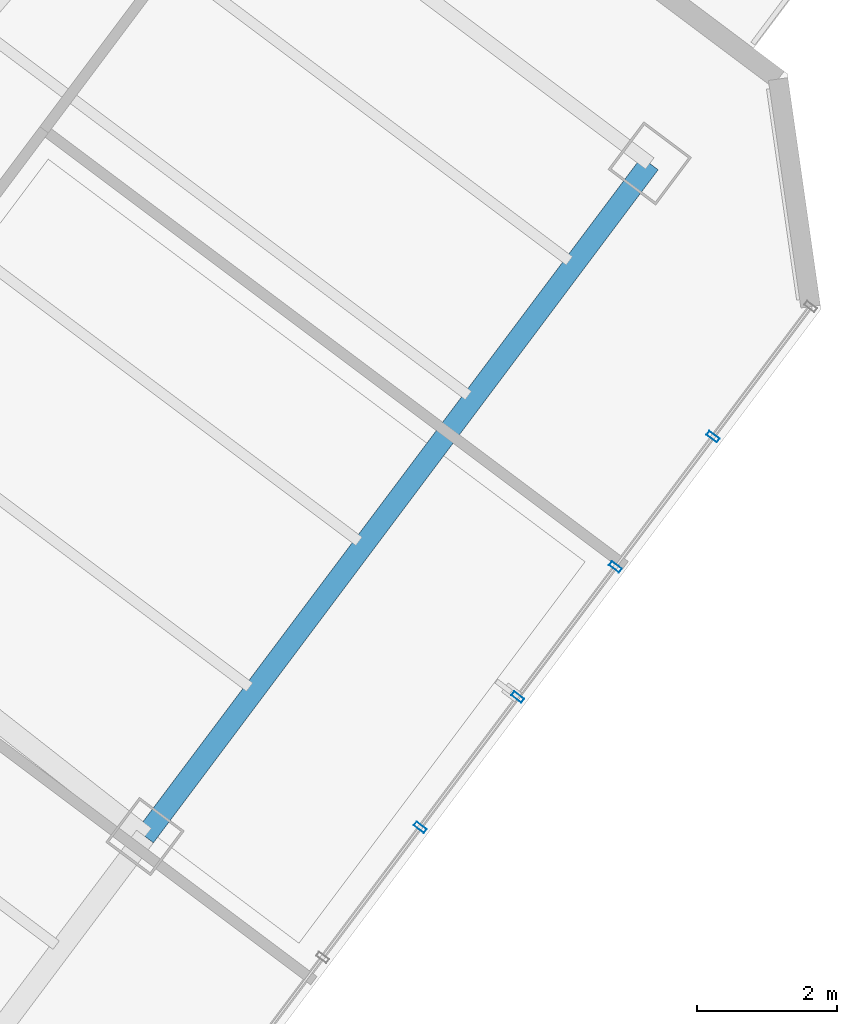
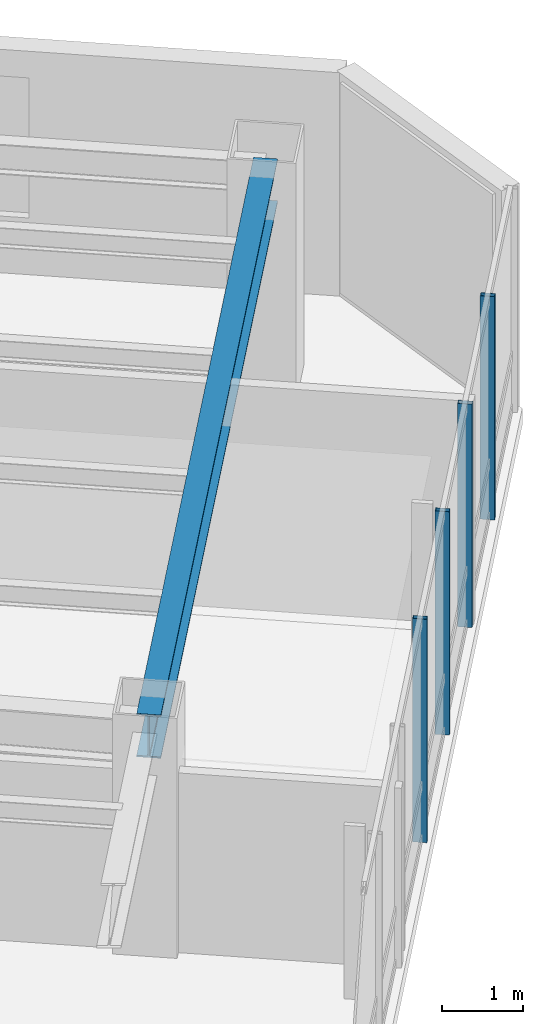
# One storey, part 13 of 28: 4 members, 1 beam, 1 element without a shape of its own.
"""IFC4 building model written with IfcOpenShell, lengths in metres."""

import ifcopenshell
import ifcopenshell.guid

model = None  # the IFC model being written
_history = None  # IfcOwnerHistory: only IFC2X3 demands one
_inside = {}  # id of a spatial element -> (the spatial element, [elements in it])
_under = {}  # id of a project, library or spatial element -> (it, [spatial elements below it])
_declared = {}  # id of a project -> (the project, [libraries it declares])
_typed = {}  # id of a type object -> (the type object, [elements of that type])
_made_of = {}  # id of a material, layer set ... -> (it, [elements and type objects made of it])


def new_model(schema):
    """Start an empty IFC model of exactly this schema.

    Asked for "IFC4X3", IfcOpenShell would pick the latest addendum, in which some entities
    have other attributes; the version numbers below select the first issue.
    IFC2X3 requires an IfcOwnerHistory on every rooted entity: one is made here for all.
    """
    global model, _history
    if schema == "IFC4X3":
        model = ifcopenshell.file(schema_version=(4, 3, 0, 0))
    else:
        model = ifcopenshell.file(schema=schema)
    _inside.clear()
    _under.clear()
    _declared.clear()
    _typed.clear()
    _made_of.clear()
    _history = None
    if model.schema == "IFC2X3":
        org = make("IfcOrganization", Name="unknown")
        user = make(
            "IfcPersonAndOrganization",
            ThePerson=make("IfcPerson", FamilyName="unknown"),
            TheOrganization=org,
        )
        app = make(
            "IfcApplication",
            ApplicationDeveloper=org,
            Version="unknown",
            ApplicationFullName="unknown",
            ApplicationIdentifier="unknown",
        )
        _history = make(
            "IfcOwnerHistory",
            OwningUser=user,
            OwningApplication=app,
            ChangeAction="ADDED",
            CreationDate=0,
        )
    return model


def make(cls, **values):
    """One entity of the class cls with the attributes given. An attribute that is None is left unset."""
    return model.create_entity(
        cls, **{name: value for name, value in values.items() if value is not None}
    )


def rooted(cls, **values):
    """An entity with a GlobalId (a new one), such as an element, a storey or a relation."""
    return make(cls, GlobalId=ifcopenshell.guid.new(), OwnerHistory=_history, **values)


def si_unit(unit_type, name, prefix=None):
    """IfcSIUnit, for example si_unit("LENGTHUNIT", "METRE", prefix="MILLI")."""
    return make("IfcSIUnit", UnitType=unit_type, Prefix=prefix, Name=name)


def assignment(units):
    """IfcUnitAssignment: the units of a project."""
    return None if units is None else make("IfcUnitAssignment", Units=units)


def point(xyz):
    """IfcCartesianPoint."""
    return None if xyz is None else make("IfcCartesianPoint", Coordinates=xyz)


def direction(xyz):
    """IfcDirection."""
    return None if xyz is None else make("IfcDirection", DirectionRatios=xyz)


def frame(location, z_axis=None, x_axis=None):
    """IfcAxis2Placement3D, a coordinate frame: its origin and axes. An axis left out is left unset."""
    return make(
        "IfcAxis2Placement3D",
        Location=point(location),
        Axis=direction(z_axis),
        RefDirection=direction(x_axis),
    )


def frame_2d(location, x_axis=None):
    """IfcAxis2Placement2D, a coordinate frame in the plane: its origin and x axis."""
    return make(
        "IfcAxis2Placement2D", Location=point(location), RefDirection=direction(x_axis)
    )


def origin():
    """The frame at (0, 0, 0) with its axes left unset."""
    return frame((0.0, 0.0, 0.0))


def origin_2d():
    """The frame at (0, 0) in the plane with its x axis left unset."""
    return frame_2d((0.0, 0.0))


def place(relative_to, where):
    """IfcLocalPlacement: puts the frame where relative to a parent placement (None: the world)."""
    return make(
        "IfcLocalPlacement", PlacementRelTo=relative_to, RelativePlacement=where
    )


def context(
    kind, dimensions, precision=None, world=None, true_north=None, identifier=None
):
    """IfcGeometricRepresentationContext, for example the 3D "Model" context."""
    return make(
        "IfcGeometricRepresentationContext",
        ContextIdentifier=identifier,
        ContextType=kind,
        CoordinateSpaceDimension=dimensions,
        Precision=precision,
        WorldCoordinateSystem=world,
        TrueNorth=true_north,
    )


def subcontext(parent, identifier, kind, view, scale=None):
    """IfcGeometricRepresentationSubContext, for example "Body" below "Model"."""
    return make(
        "IfcGeometricRepresentationSubContext",
        ContextIdentifier=identifier,
        ContextType=kind,
        ParentContext=parent,
        TargetScale=scale,
        TargetView=view,
    )


def project(units=None, contexts=None):
    """IfcProject with its units and contexts."""
    return rooted(
        "IfcProject",
        Name="project",
        RepresentationContexts=contexts,
        UnitsInContext=assignment(units),
    )


def spatial(cls, under=None, at=None, **own):
    """A site, building, storey or space (cls), placed at a placement, below another one or the project."""
    s = rooted(cls, ObjectPlacement=at, **own)
    if under is not None:
        _under.setdefault(under.id(), (under, []))[1].append(s)
    return s


def profile(cls, at=None, kind="AREA", **sizes):
    """A parametric profile (cls). Its sizes go by their IFC names, for example OverallWidth=200.0."""
    return make(cls, ProfileType=kind, Position=at, **sizes)


def hollow_rectangle(**sizes):
    """IfcRectangleHollowProfileDef."""
    return profile("IfcRectangleHollowProfileDef", **sizes)


def i_section(**sizes):
    """IfcIShapeProfileDef."""
    return profile("IfcIShapeProfileDef", **sizes)


def extrude(swept, where, along, depth):
    """IfcExtrudedAreaSolid: the profile swept, set in the frame where, extruded along a direction by depth."""
    return make(
        "IfcExtrudedAreaSolid",
        SweptArea=swept,
        Position=where,
        ExtrudedDirection=direction(along),
        Depth=depth,
    )


def shape(context_of_items, identifier, shape_type, items):
    """IfcShapeRepresentation: the items that make up one representation, for example the "Body"."""
    return make(
        "IfcShapeRepresentation",
        ContextOfItems=context_of_items,
        RepresentationIdentifier=identifier,
        RepresentationType=shape_type,
        Items=items,
    )


def material(Name=None, Category=None):
    """IfcMaterial."""
    return make("IfcMaterial", Name=Name, Category=Category)


def layer(
    of_material, thickness, ventilated=None, Name=None, Category=None, Priority=None
):
    """IfcMaterialLayer: one layer of a wall or slab, of a material (None: an air gap)."""
    return make(
        "IfcMaterialLayer",
        Material=of_material,
        LayerThickness=thickness,
        IsVentilated=ventilated,
        Name=Name,
        Category=Category,
        Priority=Priority,
    )


def layer_set(layers, Name=None):
    """IfcMaterialLayerSet."""
    return make("IfcMaterialLayerSet", MaterialLayers=layers, LayerSetName=Name)


def material_profile(
    of_material, cross_section, Name=None, Category=None, Priority=None
):
    """IfcMaterialProfile: a cross section and its material."""
    return make(
        "IfcMaterialProfile",
        Name=Name,
        Material=of_material,
        Profile=cross_section,
        Priority=Priority,
        Category=Category,
    )


def profile_set(profiles, Name=None, composite=None):
    """IfcMaterialProfileSet."""
    return make(
        "IfcMaterialProfileSet",
        Name=Name,
        MaterialProfiles=profiles,
        CompositeProfile=composite,
    )


def made_of(thing, what):
    """Note that an element or type object is made of a material, layer set ...; save() writes the relation."""
    if what is not None:
        _made_of.setdefault(what.id(), (what, []))[1].append(thing)
    return thing


def type_object(cls, material=None, **own):
    """A type object (cls), such as IfcWallType, which elements share."""
    return made_of(rooted(cls, **own), material)


def element(
    cls,
    number,
    at=None,
    inside=None,
    cuts=None,
    type_object=None,
    material=None,
    context=None,
    identifier="Body",
    shape_type=None,
    held_by="IfcProductDefinitionShape",
    body=None,
    shapes=None,
    **own,
):
    """One element of the class cls, such as IfcWall. Its Tag is "e" and its number.

    at: its placement. inside: the storey or other place that contains it. cuts: it is an
    opening in that element (IfcRelVoidsElement). A single representation is given by context,
    identifier, shape_type and body (its items); several are given by shapes. held_by: the class
    of the entity that holds the representations. save() writes the other relations.
    """
    e = rooted(cls, Tag="e%d" % number, ObjectPlacement=at, **own)
    if body is not None:
        shapes = [shape(context, identifier, shape_type, body)]
    if shapes is not None:
        e.Representation = make(held_by, Representations=shapes)
    if inside is not None:
        _inside.setdefault(inside.id(), (inside, []))[1].append(e)
    if cuts is not None:
        rooted(
            "IfcRelVoidsElement", RelatingBuildingElement=cuts, RelatedOpeningElement=e
        )
    if type_object is not None:
        _typed.setdefault(type_object.id(), (type_object, []))[1].append(e)
    return made_of(e, material)


def aggregate(whole, parts):
    """IfcRelAggregates: a whole, such as a stair, and the parts it consists of."""
    return rooted("IfcRelAggregates", RelatingObject=whole, RelatedObjects=parts)


def save(model, path):
    """Write the relations noted so far, then the file.

    IfcRelAggregates (storeys below a building ...), IfcRelContainedInSpatialStructure (elements
    in a storey), IfcRelDefinesByType, IfcRelAssociatesMaterial and IfcRelDeclares: one each for
    every whole, place, type object, material and project.
    """
    for whole, parts in _under.values():
        aggregate(whole, parts)
    for where, things in _inside.values():
        rooted(
            "IfcRelContainedInSpatialStructure",
            RelatedElements=things,
            RelatingStructure=where,
        )
    for kind, things in _typed.values():
        rooted("IfcRelDefinesByType", RelatedObjects=things, RelatingType=kind)
    for what, things in _made_of.values():
        rooted("IfcRelAssociatesMaterial", RelatedObjects=things, RelatingMaterial=what)
    for by, libraries in _declared.values():
        rooted("IfcRelDeclares", RelatingContext=by, RelatedDefinitions=libraries)
    model.write(path)


model = new_model("IFC4")

# Units and contexts
model_context = context("Model", 3, precision=1e-05, world=origin(), true_north=direction((0.0, 1.0)))
body_context = subcontext(model_context, "Body", "Model", "MODEL_VIEW")
ifc_project = project(units=[si_unit("LENGTHUNIT", "METRE"), si_unit("AREAUNIT", "SQUARE_METRE"), si_unit("VOLUMEUNIT", "CUBIC_METRE"), si_unit("PLANEANGLEUNIT", "RADIAN"), si_unit("MASSUNIT", "GRAM", prefix="KILO")], contexts=[model_context])

# Site, building, storey
site_placement = place(None, origin())
site = spatial("IfcSite", under=ifc_project, at=site_placement, CompositionType="ELEMENT")
building_placement = place(site_placement, origin())
building = spatial("IfcBuilding", under=site, at=building_placement, Name="Hatsunagi Terrace Concourse", CompositionType="ELEMENT")
storey_placement = place(building_placement, frame((0.0, 0.0, 160.050048828125)))
storey = spatial("IfcBuildingStorey", under=building, at=storey_placement, Name="L42", CompositionType="ELEMENT", Elevation=160.050048828125)

# Curtain wall, members
ifc_material_1 = material(Name="Anodised Aluminium Alloy 6063-T5", Category="aluminium")
ifc_layer = layer(ifc_material_1, 0.199951171875)
ifc_layer_set = layer_set([ifc_layer], Name="OfficeZone1_CW03")
curtain_wall_type = type_object("IfcCurtainWallType", Name="OfficeZone1_CW03", PredefinedType="NOTDEFINED", material=ifc_layer_set)
curtain_wall_placement = place(storey_placement, origin())
curtain_wall = element("IfcCurtainWall", 1, at=curtain_wall_placement, inside=storey, type_object=curtain_wall_type, Name="Unitised Curtain Wall CW-03 CW-L42-03", PredefinedType="NOTDEFINED")
ifc_material_2 = material(Name="Anodised Aluminium Alloy 6063-T5", Category="aluminium")
ifc_material_profile_1 = material_profile(ifc_material_2, hollow_rectangle(XDim=0.070068359375, YDim=0.179931640625, WallThickness=0.00390625, at=origin_2d()), Name="ALU-MUL-180x70x4")
ifc_profile_set_1 = profile_set([ifc_material_profile_1], Name="Anodised Aluminium Alloy 6063-T5")
member_type = type_object("IfcMemberType", Name="CurtainWallMullion_180x70", PredefinedType="MULLION", material=ifc_profile_set_1)
member_1_placement = place(storey_placement, frame((59.301025390625, 24.10205078125, 0.0), z_axis=(0.0, 0.0, 1.0), x_axis=(-0.599969314634, -0.800023013105, 0.0)))
member_1 = element("IfcMember", 2, at=member_1_placement, type_object=member_type, Name="Curtain Wall Mullion MUL-02", PredefinedType="MULLION", context=body_context, shape_type="SweptSolid", body=[
    extrude(hollow_rectangle(XDim=0.070068359375, YDim=0.179931640625, WallThickness=0.00390625, at=origin_2d()), origin(), (0.0, 0.0, 1.0), 3.349853515625),
])
member_2_placement = place(storey_placement, frame((57.908935546875, 22.2451171875, 0.0), z_axis=(0.0, 0.0, 1.0), x_axis=(-0.599969314634, -0.800023013105, 0.0)))
member_2 = element("IfcMember", 3, at=member_2_placement, type_object=member_type, Name="Curtain Wall Mullion MUL-02", PredefinedType="MULLION", context=body_context, shape_type="SweptSolid", body=[
    extrude(hollow_rectangle(XDim=0.070068359375, YDim=0.179931640625, WallThickness=0.00390625, at=origin_2d()), origin(), (0.0, 0.0, 1.0), 3.349853515625),
])
member_3_placement = place(storey_placement, frame((56.51611328125, 20.388916015625, 0.0), z_axis=(0.0, 0.0, 1.0), x_axis=(-0.599969314634, -0.800023013105, 0.0)))
member_3 = element("IfcMember", 4, at=member_3_placement, type_object=member_type, Name="Curtain Wall Mullion MUL-02", PredefinedType="MULLION", context=body_context, shape_type="SweptSolid", body=[
    extrude(hollow_rectangle(XDim=0.070068359375, YDim=0.179931640625, WallThickness=0.00390625, at=origin_2d()), origin(), (0.0, 0.0, 1.0), 3.349853515625),
])
member_4_placement = place(storey_placement, frame((55.1240234375, 18.531982421875, 0.0), z_axis=(0.0, 0.0, 1.0), x_axis=(-0.599969314634, -0.800023013105, 0.0)))
member_4 = element("IfcMember", 5, at=member_4_placement, type_object=member_type, Name="Curtain Wall Mullion MUL-02", PredefinedType="MULLION", context=body_context, shape_type="SweptSolid", body=[
    extrude(hollow_rectangle(XDim=0.070068359375, YDim=0.179931640625, WallThickness=0.00390625, at=origin_2d()), origin(), (0.0, 0.0, 1.0), 3.349853515625),
])
aggregate(curtain_wall, [member_1, member_2, member_3, member_4])

# Beam
ifc_material_3 = material(Name="Steel SN490B", Category="steel")
ifc_material_profile_2 = material_profile(ifc_material_3, i_section(OverallWidth=0.300048828125, OverallDepth=0.64990234375, WebThickness=0.012939453125, FlangeThickness=0.02197265625, FilletRadius=0.01806640625, at=origin_2d()), Name="H-650x300x13x22")
ifc_profile_set_2 = profile_set([ifc_material_profile_2], Name="Steel SN490B")
beam_type = type_object("IfcBeamType", Name="OfficeLowGirder_H_650x300", PredefinedType="BEAM", material=ifc_profile_set_2)
beam_placement = place(storey_placement, frame((51.199951171875, 18.39990234375, 3.02490234375), z_axis=(0.59999348959, 0.800004882766, 0.0), x_axis=(-0.800004882766, 0.59999348959, 0.0)))
element("IfcBeam", 6, at=beam_placement, inside=storey, type_object=beam_type, Name="Beam G-05 BM-L42-SET-2B", PredefinedType="BEAM", context=body_context, shape_type="SweptSolid", body=[
    extrude(i_section(OverallWidth=0.300048828125, OverallDepth=0.64990234375, WebThickness=0.012939453125, FlangeThickness=0.02197265625, FilletRadius=0.01806640625, at=origin_2d()), origin(), (0.0, 0.0, 1.0), 12.0),
])

save(model, "model.ifc")
